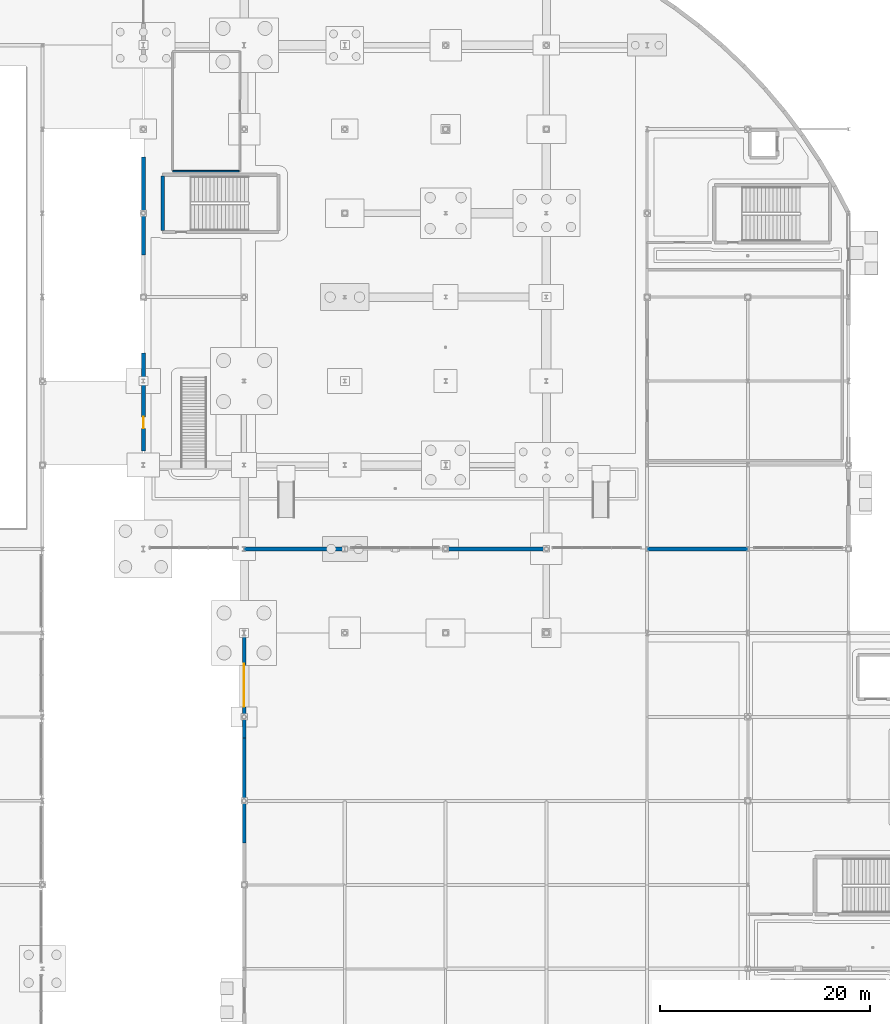
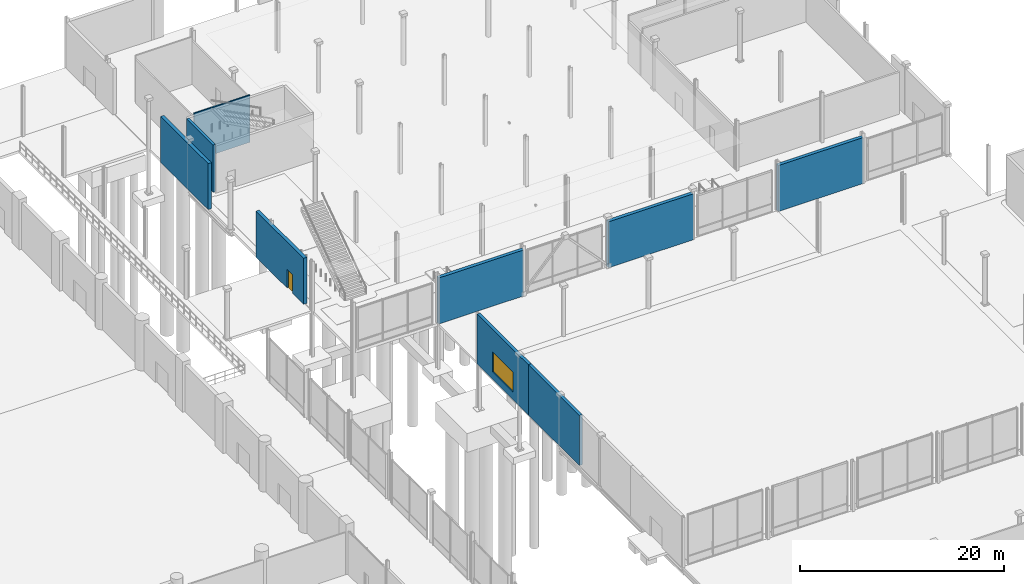
# One storey, part 83 of 124: 9 walls, 1 door, 1 window, 2 openings.
"""IFC4 building model written with IfcOpenShell, lengths in metres."""

import ifcopenshell
import ifcopenshell.guid

model = None  # the IFC model being written
_history = None  # IfcOwnerHistory: only IFC2X3 demands one
_inside = {}  # id of a spatial element -> (the spatial element, [elements in it])
_under = {}  # id of a project, library or spatial element -> (it, [spatial elements below it])
_declared = {}  # id of a project -> (the project, [libraries it declares])
_typed = {}  # id of a type object -> (the type object, [elements of that type])
_made_of = {}  # id of a material, layer set ... -> (it, [elements and type objects made of it])


def new_model(schema):
    """Start an empty IFC model of exactly this schema.

    Asked for "IFC4X3", IfcOpenShell would pick the latest addendum, in which some entities
    have other attributes; the version numbers below select the first issue.
    IFC2X3 requires an IfcOwnerHistory on every rooted entity: one is made here for all.
    """
    global model, _history
    if schema == "IFC4X3":
        model = ifcopenshell.file(schema_version=(4, 3, 0, 0))
    else:
        model = ifcopenshell.file(schema=schema)
    _inside.clear()
    _under.clear()
    _declared.clear()
    _typed.clear()
    _made_of.clear()
    _history = None
    if model.schema == "IFC2X3":
        org = make("IfcOrganization", Name="unknown")
        user = make(
            "IfcPersonAndOrganization",
            ThePerson=make("IfcPerson", FamilyName="unknown"),
            TheOrganization=org,
        )
        app = make(
            "IfcApplication",
            ApplicationDeveloper=org,
            Version="unknown",
            ApplicationFullName="unknown",
            ApplicationIdentifier="unknown",
        )
        _history = make(
            "IfcOwnerHistory",
            OwningUser=user,
            OwningApplication=app,
            ChangeAction="ADDED",
            CreationDate=0,
        )
    return model


def make(cls, **values):
    """One entity of the class cls with the attributes given. An attribute that is None is left unset."""
    return model.create_entity(
        cls, **{name: value for name, value in values.items() if value is not None}
    )


def rooted(cls, **values):
    """An entity with a GlobalId (a new one), such as an element, a storey or a relation."""
    return make(cls, GlobalId=ifcopenshell.guid.new(), OwnerHistory=_history, **values)


def si_unit(unit_type, name, prefix=None):
    """IfcSIUnit, for example si_unit("LENGTHUNIT", "METRE", prefix="MILLI")."""
    return make("IfcSIUnit", UnitType=unit_type, Prefix=prefix, Name=name)


def assignment(units):
    """IfcUnitAssignment: the units of a project."""
    return None if units is None else make("IfcUnitAssignment", Units=units)


def point(xyz):
    """IfcCartesianPoint."""
    return None if xyz is None else make("IfcCartesianPoint", Coordinates=xyz)


def direction(xyz):
    """IfcDirection."""
    return None if xyz is None else make("IfcDirection", DirectionRatios=xyz)


def frame(location, z_axis=None, x_axis=None):
    """IfcAxis2Placement3D, a coordinate frame: its origin and axes. An axis left out is left unset."""
    return make(
        "IfcAxis2Placement3D",
        Location=point(location),
        Axis=direction(z_axis),
        RefDirection=direction(x_axis),
    )


def frame_2d(location, x_axis=None):
    """IfcAxis2Placement2D, a coordinate frame in the plane: its origin and x axis."""
    return make(
        "IfcAxis2Placement2D", Location=point(location), RefDirection=direction(x_axis)
    )


def origin():
    """The frame at (0, 0, 0) with its axes left unset."""
    return frame((0.0, 0.0, 0.0))


def place(relative_to, where):
    """IfcLocalPlacement: puts the frame where relative to a parent placement (None: the world)."""
    return make(
        "IfcLocalPlacement", PlacementRelTo=relative_to, RelativePlacement=where
    )


def context(
    kind, dimensions, precision=None, world=None, true_north=None, identifier=None
):
    """IfcGeometricRepresentationContext, for example the 3D "Model" context."""
    return make(
        "IfcGeometricRepresentationContext",
        ContextIdentifier=identifier,
        ContextType=kind,
        CoordinateSpaceDimension=dimensions,
        Precision=precision,
        WorldCoordinateSystem=world,
        TrueNorth=true_north,
    )


def subcontext(parent, identifier, kind, view, scale=None):
    """IfcGeometricRepresentationSubContext, for example "Body" below "Model"."""
    return make(
        "IfcGeometricRepresentationSubContext",
        ContextIdentifier=identifier,
        ContextType=kind,
        ParentContext=parent,
        TargetScale=scale,
        TargetView=view,
    )


def project(units=None, contexts=None):
    """IfcProject with its units and contexts."""
    return rooted(
        "IfcProject",
        Name="project",
        RepresentationContexts=contexts,
        UnitsInContext=assignment(units),
    )


def spatial(cls, under=None, at=None, **own):
    """A site, building, storey or space (cls), placed at a placement, below another one or the project."""
    s = rooted(cls, ObjectPlacement=at, **own)
    if under is not None:
        _under.setdefault(under.id(), (under, []))[1].append(s)
    return s


def profile(cls, at=None, kind="AREA", **sizes):
    """A parametric profile (cls). Its sizes go by their IFC names, for example OverallWidth=200.0."""
    return make(cls, ProfileType=kind, Position=at, **sizes)


def rectangle(**sizes):
    """IfcRectangleProfileDef."""
    return profile("IfcRectangleProfileDef", **sizes)


def extrude(swept, where, along, depth):
    """IfcExtrudedAreaSolid: the profile swept, set in the frame where, extruded along a direction by depth."""
    return make(
        "IfcExtrudedAreaSolid",
        SweptArea=swept,
        Position=where,
        ExtrudedDirection=direction(along),
        Depth=depth,
    )


def shape(context_of_items, identifier, shape_type, items):
    """IfcShapeRepresentation: the items that make up one representation, for example the "Body"."""
    return make(
        "IfcShapeRepresentation",
        ContextOfItems=context_of_items,
        RepresentationIdentifier=identifier,
        RepresentationType=shape_type,
        Items=items,
    )


def material(Name=None, Category=None):
    """IfcMaterial."""
    return make("IfcMaterial", Name=Name, Category=Category)


def layer(
    of_material, thickness, ventilated=None, Name=None, Category=None, Priority=None
):
    """IfcMaterialLayer: one layer of a wall or slab, of a material (None: an air gap)."""
    return make(
        "IfcMaterialLayer",
        Material=of_material,
        LayerThickness=thickness,
        IsVentilated=ventilated,
        Name=Name,
        Category=Category,
        Priority=Priority,
    )


def layer_set(layers, Name=None):
    """IfcMaterialLayerSet."""
    return make("IfcMaterialLayerSet", MaterialLayers=layers, LayerSetName=Name)


def made_of(thing, what):
    """Note that an element or type object is made of a material, layer set ...; save() writes the relation."""
    if what is not None:
        _made_of.setdefault(what.id(), (what, []))[1].append(thing)
    return thing


def type_object(cls, material=None, **own):
    """A type object (cls), such as IfcWallType, which elements share."""
    return made_of(rooted(cls, **own), material)


def element(
    cls,
    number,
    at=None,
    inside=None,
    cuts=None,
    type_object=None,
    material=None,
    context=None,
    identifier="Body",
    shape_type=None,
    held_by="IfcProductDefinitionShape",
    body=None,
    shapes=None,
    **own,
):
    """One element of the class cls, such as IfcWall. Its Tag is "e" and its number.

    at: its placement. inside: the storey or other place that contains it. cuts: it is an
    opening in that element (IfcRelVoidsElement). A single representation is given by context,
    identifier, shape_type and body (its items); several are given by shapes. held_by: the class
    of the entity that holds the representations. save() writes the other relations.
    """
    e = rooted(cls, Tag="e%d" % number, ObjectPlacement=at, **own)
    if body is not None:
        shapes = [shape(context, identifier, shape_type, body)]
    if shapes is not None:
        e.Representation = make(held_by, Representations=shapes)
    if inside is not None:
        _inside.setdefault(inside.id(), (inside, []))[1].append(e)
    if cuts is not None:
        rooted(
            "IfcRelVoidsElement", RelatingBuildingElement=cuts, RelatedOpeningElement=e
        )
    if type_object is not None:
        _typed.setdefault(type_object.id(), (type_object, []))[1].append(e)
    return made_of(e, material)


def fill(opening, filler):
    """IfcRelFillsElement: the door or window that sits in an opening."""
    return rooted(
        "IfcRelFillsElement",
        RelatingOpeningElement=opening,
        RelatedBuildingElement=filler,
    )


def aggregate(whole, parts):
    """IfcRelAggregates: a whole, such as a stair, and the parts it consists of."""
    return rooted("IfcRelAggregates", RelatingObject=whole, RelatedObjects=parts)


def save(model, path):
    """Write the relations noted so far, then the file.

    IfcRelAggregates (storeys below a building ...), IfcRelContainedInSpatialStructure (elements
    in a storey), IfcRelDefinesByType, IfcRelAssociatesMaterial and IfcRelDeclares: one each for
    every whole, place, type object, material and project.
    """
    for whole, parts in _under.values():
        aggregate(whole, parts)
    for where, things in _inside.values():
        rooted(
            "IfcRelContainedInSpatialStructure",
            RelatedElements=things,
            RelatingStructure=where,
        )
    for kind, things in _typed.values():
        rooted("IfcRelDefinesByType", RelatedObjects=things, RelatingType=kind)
    for what, things in _made_of.values():
        rooted("IfcRelAssociatesMaterial", RelatedObjects=things, RelatingMaterial=what)
    for by, libraries in _declared.values():
        rooted("IfcRelDeclares", RelatingContext=by, RelatedDefinitions=libraries)
    model.write(path)


model = new_model("IFC4")

# Units and contexts
model_context = context("Model", 3, precision=1e-05, world=origin(), true_north=direction((0.0, 1.0)))
body_context = subcontext(model_context, "Body", "Model", "MODEL_VIEW")
ifc_project = project(units=[si_unit("LENGTHUNIT", "METRE"), si_unit("AREAUNIT", "SQUARE_METRE"), si_unit("VOLUMEUNIT", "CUBIC_METRE"), si_unit("PLANEANGLEUNIT", "RADIAN"), si_unit("MASSUNIT", "GRAM", prefix="KILO")], contexts=[model_context])

# Site, building, storey
site_placement = place(None, origin())
site = spatial("IfcSite", under=ifc_project, at=site_placement, CompositionType="ELEMENT")
building_placement = place(site_placement, origin())
building = spatial("IfcBuilding", under=site, at=building_placement, Name="Danafjord Basin Convention Centre", CompositionType="ELEMENT")
storey_placement = place(building_placement, origin())
storey = spatial("IfcBuildingStorey", under=building, at=storey_placement, Name="L00", CompositionType="ELEMENT", Elevation=0.0)

# Walls
ifc_material_1 = material(Name="Concrete C40/50", Category="concrete")
ifc_layer_1 = layer(ifc_material_1, 0.300048828125)
ifc_layer_set_1 = layer_set([ifc_layer_1], Name="Concrete C40/50")
wall_type_1 = type_object("IfcWallType", Name="WALL-CW-CORE300", PredefinedType="SHEAR", material=ifc_layer_set_1)
wall_1_placement = place(storey_placement, frame((136.25, 118.3349609375, 0.0), z_axis=(0.0, 0.0, 1.0), x_axis=(0.0, 1.0, 0.0)))
element("IfcWall", 1, at=wall_1_placement, inside=storey, type_object=wall_type_1, Name="Plenary West Escape Stair core shear wall (west)", PredefinedType="SHEAR", context=body_context, shape_type="SweptSolid", body=[
    extrude(rectangle(XDim=5.18994140625, YDim=0.300048828125, at=frame_2d((2.594970703125, 0.0))), origin(), (0.0, 0.0, 1.0), 5.639892578125),
])
ifc_material_2 = material(Name="Precast concrete C40/50", Category="concrete")
ifc_layer_2 = layer(ifc_material_2, 0.340087890625)
ifc_layer_set_2 = layer_set([ifc_layer_2], Name="Precast concrete C40/50")
wall_type_2 = type_object("IfcWallType", Name="WALL-EW-PC340", PredefinedType="SOLIDWALL", material=ifc_layer_set_2)
wall_2_placement = place(storey_placement, frame((144.0, 60.0, 0.0), z_axis=(0.0, 0.0, 1.0), x_axis=(0.0, 1.0, 0.0)))
element("IfcWall", 2, at=wall_2_placement, inside=storey, type_object=wall_type_2, Name="L00 east congress wing facade wall", PredefinedType="SOLIDWALL", context=body_context, shape_type="SweptSolid", body=[
    extrude(rectangle(XDim=10.0, YDim=0.340087890625, at=frame_2d((5.0, 0.0))), origin(), (0.0, 0.0, 1.0), 6.0),
])

# Wall, opening, window
wall_3_placement = place(storey_placement, frame((144.0, 70.0, 0.0), z_axis=(0.0, 0.0, 1.0), x_axis=(0.0, 1.0, 0.0)))
wall_3 = element("IfcWall", 3, at=wall_3_placement, inside=storey, type_object=wall_type_2, Name="L00 east congress wing facade wall", PredefinedType="SOLIDWALL", context=body_context, shape_type="SweptSolid", body=[
    extrude(rectangle(XDim=10.0, YDim=0.340087890625, at=frame_2d((5.0, 0.0))), origin(), (0.0, 0.0, 1.0), 6.0),
])
opening_1_placement = place(wall_3_placement, frame((2.949951171875, 0.0, 0.89990234375)))
opening_1 = element("IfcOpeningElement", 4, at=opening_1_placement, cuts=wall_3, Name="Opening WN-15", PredefinedType="OPENING", context=body_context, shape_type="SweptSolid", body=[
    extrude(rectangle(XDim=4.10009765625, YDim=2.39990234375, at=frame_2d((2.050048828125, 1.199951171875))), frame((0.0, 0.179931640625, 0.0), z_axis=(0.0, -1.0, 0.0), x_axis=(1.0, 0.0, 0.0)), (0.0, 0.0, 1.0), 0.360107421875),
])
ifc_material_3 = material(Name="Thermally broken aluminium and triple low-E glass", Category="aluminium")
window_type = type_object("IfcWindowType", Name="WIN-WN-15", PartitioningType="SINGLE_PANEL", PredefinedType="WINDOW", material=ifc_material_3)
window_placement = place(opening_1_placement, origin())
window = element("IfcWindow", 5, at=window_placement, inside=storey, type_object=window_type, Name="L00 east wing window WN-15", OverallHeight=2.39990234375, OverallWidth=4.10009765625, PartitioningType="SINGLE_PANEL", PredefinedType="WINDOW", context=body_context, shape_type="SweptSolid", body=[
    extrude(rectangle(XDim=4.10009765625, YDim=2.39990234375, at=frame_2d((2.050048828125, 1.199951171875))), frame((0.0, 0.030029296875, 0.0), z_axis=(0.0, -1.0, 0.0), x_axis=(1.0, 0.0, 0.0)), (0.0, 0.0, 1.0), 0.06005859375),
])
fill(opening_1, window)

# Walls
ifc_material_4 = material(Name="Precast concrete C45/55", Category="concrete")
ifc_layer_3 = layer(ifc_material_4, 0.3798828125)
ifc_layer_set_3 = layer_set([ifc_layer_3], Name="Precast concrete C45/55")
wall_type_3 = type_object("IfcWallType", Name="WALL-EW-PC380", PredefinedType="SOLIDWALL", material=ifc_layer_set_3)
for number, where, z_axis, x_axis, name in (
    (6, (144.0, 88.0, 0.0), (0.0, 0.0, 1.0), (1.0, 0.0, 0.0), "L00 plenary drum precast facet wall"),
    (7, (163.199951171875, 88.0, 0.0), (0.0, 0.0, 1.0), (1.0, 0.0, 0.0), "L00 plenary drum precast facet wall"),
    (8, (182.39990234375, 88.0, 0.0), (0.0, 0.0, 1.0), (1.0, 0.0, 0.0), "L00 plenary drum precast facet wall"),
):
    element("IfcWall", number, at=place(storey_placement, frame(where, z_axis=z_axis, x_axis=x_axis)), inside=storey, type_object=wall_type_3, Name=name, PredefinedType="SOLIDWALL", context=body_context, shape_type="SweptSolid", body=[
        extrude(rectangle(XDim=9.60009765625, YDim=0.3798828125, at=frame_2d((4.800048828125, 0.0))), origin(), (0.0, 0.0, 1.0), 5.5),
    ])
wall_4_placement = place(storey_placement, frame((134.39990234375, 125.3330078125, 0.0), z_axis=(0.0, 0.0, 1.0), x_axis=(0.0, -1.0, 0.0)))
element("IfcWall", 9, at=wall_4_placement, inside=storey, type_object=wall_type_3, Name="L00 plenary drum precast facet wall", PredefinedType="SOLIDWALL", context=body_context, shape_type="SweptSolid", body=[
    extrude(rectangle(XDim=9.3330078125, YDim=0.3798828125, at=frame_2d((4.66650390625, 0.0))), origin(), (0.0, 0.0, 1.0), 5.5),
])

# Wall, opening, door
wall_5_placement = place(storey_placement, frame((134.39990234375, 97.3330078125, 0.0), z_axis=(0.0, 0.0, 1.0), x_axis=(0.0, 1.0, 0.0)))
wall_5 = element("IfcWall", 10, at=wall_5_placement, inside=storey, type_object=wall_type_3, Name="L00 plenary drum precast facet wall", PredefinedType="SOLIDWALL", context=body_context, shape_type="SweptSolid", body=[
    extrude(rectangle(XDim=9.333984375, YDim=0.3798828125, at=frame_2d((4.6669921875, 0.0))), origin(), (0.0, 0.0, 1.0), 5.5),
])
opening_2_placement = place(wall_5_placement, frame((2.1669921875, 0.0, 0.0)))
opening_2 = element("IfcOpeningElement", 11, at=opening_2_placement, cuts=wall_5, Name="Opening ED-06", PredefinedType="OPENING", context=body_context, shape_type="SweptSolid", body=[
    extrude(rectangle(XDim=1.090087890625, YDim=2.219970703125, at=frame_2d((0.544921875, 1.10986328125))), frame((0.0, 0.199951171875, 0.0), z_axis=(0.0, -1.0, 0.0), x_axis=(1.0, 0.0, 0.0)), (0.0, 0.0, 1.0), 0.39990234375),
])
ifc_material_5 = material(Name="Thermally broken anodised aluminium and steel", Category="steel")
door_type = type_object("IfcDoorType", Name="DOOR-ED-06", OperationType="SINGLE_SWING_LEFT", PredefinedType="DOOR", material=ifc_material_5)
door_placement = place(opening_2_placement, origin())
door = element("IfcDoor", 12, at=door_placement, inside=storey, type_object=door_type, Name="Plenary West Concourse Final Exit Door", OperationType="SINGLE_SWING_LEFT", OverallHeight=2.219970703125, OverallWidth=1.090087890625, PredefinedType="DOOR", context=body_context, shape_type="SweptSolid", body=[
    extrude(rectangle(XDim=1.090087890625, YDim=2.219970703125, at=frame_2d((0.544921875, 1.10986328125))), frame((0.0, 0.02490234375, 0.0), z_axis=(0.0, -1.0, 0.0), x_axis=(1.0, 0.0, 0.0)), (0.0, 0.0, 1.0), 0.050048828125),
])
fill(opening_2, door)

# Wall
ifc_material_6 = material(Name="Fire-rated gypsum metal-stud partition")
ifc_layer_4 = layer(ifc_material_6, 0.14990234375)
ifc_layer_set_4 = layer_set([ifc_layer_4], Name="Fire-rated gypsum metal-stud partition")
wall_type_4 = type_object("IfcWallType", Name="WALL-PT-ST150", PredefinedType="PARTITIONING", material=ifc_layer_set_4)
wall_6_placement = place(storey_placement, frame((137.199951171875, 124.0, 0.0), z_axis=(0.0, 0.0, 1.0), x_axis=(1.0, 0.0, 0.0)))
element("IfcWall", 13, at=wall_6_placement, inside=storey, type_object=wall_type_4, Name="Speaker Media and Organiser Suite south partition", PredefinedType="PARTITIONING", context=body_context, shape_type="SweptSolid", body=[
    extrude(rectangle(XDim=6.321044921875, YDim=0.14990234375, at=frame_2d((3.16064453125, 0.0))), origin(), (0.0, 0.0, 1.0), 5.639892578125),
])

save(model, "model.ifc")
